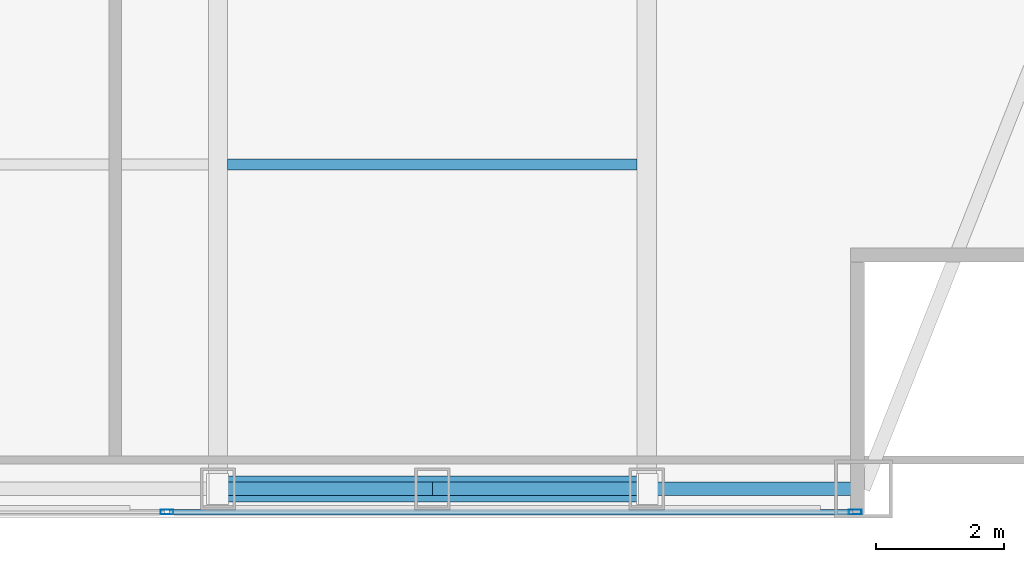
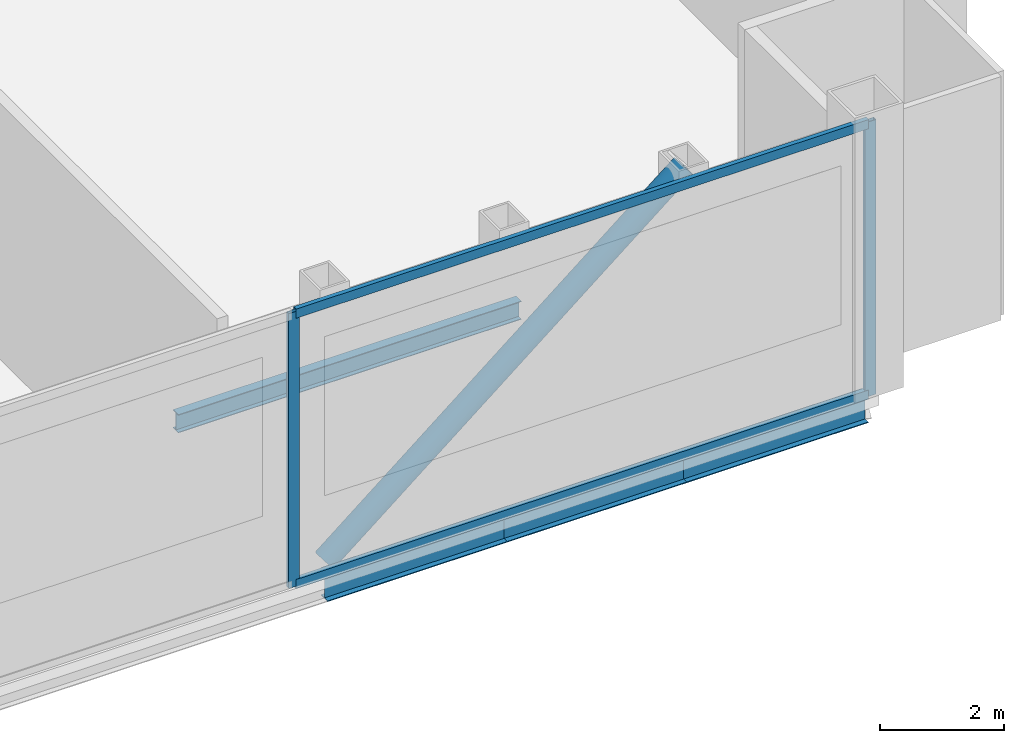
# One storey, part 10 of 22: 5 members, 4 beams, 1 element without a shape of its own.
"""IFC4 building model written with IfcOpenShell, lengths in metres."""

from ifc_helpers import new_model, si_unit, direction, frame, origin, origin_2d, place, context, subcontext, project, spatial, hollow_rectangle, hollow_circle, i_section, extrude, material, material_profile, profile_set, type_object, element, aggregate, save


model = new_model("IFC4")

# Units and contexts
model_context = context("Model", 3, precision=1e-05, world=origin(), true_north=direction((0.0, 1.0)))
body_context = subcontext(model_context, "Body", "Model", "MODEL_VIEW")
ifc_project = project(units=[si_unit("LENGTHUNIT", "METRE"), si_unit("AREAUNIT", "SQUARE_METRE"), si_unit("VOLUMEUNIT", "CUBIC_METRE"), si_unit("PLANEANGLEUNIT", "RADIAN"), si_unit("MASSUNIT", "GRAM", prefix="KILO")], contexts=[model_context])

# Site, building, storey
site_placement = place(None, origin())
site = spatial("IfcSite", under=ifc_project, at=site_placement, CompositionType="ELEMENT")
building_placement = place(site_placement, origin())
building = spatial("IfcBuilding", under=site, at=building_placement, Name="Khoronbel Lancet Exchange", CompositionType="ELEMENT")
storey_placement = place(building_placement, frame((0.0, 0.0, 373.0)))
storey = spatial("IfcBuildingStorey", under=building, at=storey_placement, Name="L95", CompositionType="ELEMENT", Elevation=373.0)

# Beams
ifc_material_1 = material(Name="Steel S355", Category="steel")
ifc_material_profile_1 = material_profile(ifc_material_1, i_section(OverallWidth=0.169921875, OverallDepth=0.360107421875, WebThickness=0.008056640625, FlangeThickness=0.0126953125, at=origin_2d()), Name="IPE 360")
ifc_profile_set_1 = profile_set([ifc_material_profile_1], Name="Steel S355")
beam_type_1 = type_object("IfcBeamType", Name="BM-BJ6", PredefinedType="JOIST", material=ifc_profile_set_1)
beam_1_placement = place(storey_placement, frame((48.14990234375, 15.199951171875, -0.3798828125), z_axis=(1.0, 0.0, 0.0), x_axis=(0.0, 1.0, 0.0)))
element("IfcBeam", 1, at=beam_1_placement, inside=storey, type_object=beam_type_1, Name="Level L95 secondary composite joist J03", PredefinedType="JOIST", context=body_context, shape_type="SweptSolid", body=[
    extrude(i_section(OverallWidth=0.169921875, OverallDepth=0.360107421875, WebThickness=0.008056640625, FlangeThickness=0.0126953125, at=origin_2d()), origin(), (0.0, 0.0, 1.0), 6.375),
])
ifc_material_profile_2 = material_profile(ifc_material_1, i_section(OverallWidth=0.2099609375, OverallDepth=0.550048828125, WebThickness=0.010986328125, FlangeThickness=0.01708984375, at=origin_2d()), Name="IPE 550")
ifc_profile_set_2 = profile_set([ifc_material_profile_2], Name="Steel S355")
beam_type_2 = type_object("IfcBeamType", Name="BM-BSP3", PredefinedType="SPANDREL", material=ifc_profile_set_2)
beam_2_placement = place(storey_placement, frame((48.0, 10.14990234375, -0.47509765625), z_axis=(1.0, 0.0, 0.0), x_axis=(0.0, 1.0, 0.0)))
element("IfcBeam", 2, at=beam_2_placement, inside=storey, type_object=beam_type_2, Name="Level L95 perimeter spandrel beam SP05", PredefinedType="SPANDREL", context=body_context, shape_type="SweptSolid", body=[
    extrude(i_section(OverallWidth=0.2099609375, OverallDepth=0.550048828125, WebThickness=0.010986328125, FlangeThickness=0.01708984375, at=origin_2d()), origin(), (0.0, 0.0, 1.0), 3.33740234375),
])
beam_3_placement = place(storey_placement, frame((51.33740234375, 10.14990234375, -0.47509765625), z_axis=(1.0, 0.0, 0.0), x_axis=(0.0, 1.0, 0.0)))
element("IfcBeam", 3, at=beam_3_placement, inside=storey, type_object=beam_type_2, Name="Level L95 perimeter spandrel beam SP06", PredefinedType="SPANDREL", context=body_context, shape_type="SweptSolid", body=[
    extrude(i_section(OverallWidth=0.2099609375, OverallDepth=0.550048828125, WebThickness=0.010986328125, FlangeThickness=0.01708984375, at=origin_2d()), origin(), (0.0, 0.0, 1.0), 3.337646484375),
])
beam_4_placement = place(storey_placement, frame((54.675048828125, 10.14990234375, -0.47509765625), z_axis=(1.0, 0.0, 0.0), x_axis=(0.0, 1.0, 0.0)))
element("IfcBeam", 4, at=beam_4_placement, inside=storey, type_object=beam_type_2, Name="Level L95 perimeter spandrel beam SP07", PredefinedType="SPANDREL", context=body_context, shape_type="SweptSolid", body=[
    extrude(i_section(OverallWidth=0.2099609375, OverallDepth=0.550048828125, WebThickness=0.010986328125, FlangeThickness=0.01708984375, at=origin_2d()), origin(), (0.0, 0.0, 1.0), 3.375),
])

# Curtain wall, members
ifc_material_2 = material(Name="Low-E Solar Control Insulating Glass", Category="glass")
curtain_wall_type = type_object("IfcCurtainWallType", Name="CW-6", PredefinedType="NOTDEFINED", material=ifc_material_2)
curtain_wall_placement = place(storey_placement, origin())
curtain_wall = element("IfcCurtainWall", 5, at=curtain_wall_placement, inside=storey, type_object=curtain_wall_type, Name="Unitised curtain wall CW-L95-E12", PredefinedType="NOTDEFINED")
ifc_material_3 = material(Name="Bronze-Anodised Aluminium 6063-T6", Category="aluminium")
ifc_material_profile_3 = material_profile(ifc_material_3, hollow_rectangle(XDim=0.074951171875, YDim=0.199951171875, WallThickness=0.0048828125, at=origin_2d()), Name="ALU MULLION 75x200")
ifc_profile_set_3 = profile_set([ifc_material_profile_3], Name="Bronze-Anodised Aluminium 6063-T6")
member_type_1 = type_object("IfcMemberType", Name="MEM-CWM2", PredefinedType="MULLION", material=ifc_profile_set_3)
member_1_placement = place(storey_placement, frame((57.922607421875, 9.7900390625, 0.0), z_axis=(0.0, 0.0, 1.0), x_axis=(0.0, -1.0, 0.0)))
member_1 = element("IfcMember", 6, at=member_1_placement, type_object=member_type_1, Name="CW6 mullion 1", PredefinedType="MULLION", context=body_context, shape_type="SweptSolid", body=[
    extrude(hollow_rectangle(XDim=0.074951171875, YDim=0.199951171875, WallThickness=0.0048828125, at=origin_2d()), origin(), (0.0, 0.0, 1.0), 5.39990234375),
])
member_2_placement = place(storey_placement, frame((47.205078125, 9.7900390625, 0.0), z_axis=(0.0, 0.0, 1.0), x_axis=(0.0, -1.0, 0.0)))
member_2 = element("IfcMember", 7, at=member_2_placement, type_object=member_type_1, Name="CW6 mullion 2", PredefinedType="MULLION", context=body_context, shape_type="SweptSolid", body=[
    extrude(hollow_rectangle(XDim=0.074951171875, YDim=0.199951171875, WallThickness=0.0048828125, at=origin_2d()), origin(), (0.0, 0.0, 1.0), 5.39990234375),
])
ifc_material_profile_4 = material_profile(ifc_material_3, hollow_rectangle(XDim=0.0849609375, YDim=0.179931640625, WallThickness=0.0048828125, at=origin_2d()), Name="ALU TRANSOM 85x180")
ifc_profile_set_4 = profile_set([ifc_material_profile_4], Name="Bronze-Anodised Aluminium 6063-T6")
member_type_2 = type_object("IfcMemberType", Name="MEM-CWT1", PredefinedType="USERDEFINED", material=ifc_profile_set_4)
member_3_placement = place(storey_placement, frame((57.885009765625, 9.7900390625, 0.04248046875), z_axis=(-1.0, 0.0, 0.0), x_axis=(0.0, -1.0, 0.0)))
member_3 = element("IfcMember", 8, at=member_3_placement, type_object=member_type_2, Name="CW6 transom 1.1", ObjectType="TRANSOM", PredefinedType="USERDEFINED", context=body_context, shape_type="SweptSolid", body=[
    extrude(hollow_rectangle(XDim=0.0849609375, YDim=0.179931640625, WallThickness=0.0048828125, at=origin_2d()), origin(), (0.0, 0.0, 1.0), 10.642578125),
])
member_4_placement = place(storey_placement, frame((57.885009765625, 9.7900390625, 5.357421875), z_axis=(-1.0, 0.0, 0.0), x_axis=(0.0, -1.0, 0.0)))
member_4 = element("IfcMember", 9, at=member_4_placement, type_object=member_type_2, Name="CW6 transom 1.2", ObjectType="TRANSOM", PredefinedType="USERDEFINED", context=body_context, shape_type="SweptSolid", body=[
    extrude(hollow_rectangle(XDim=0.0849609375, YDim=0.179931640625, WallThickness=0.0048828125, at=origin_2d()), origin(), (0.0, 0.0, 1.0), 10.642578125),
])
aggregate(curtain_wall, [member_1, member_2, member_3, member_4])

# Member
ifc_material_profile_5 = material_profile(ifc_material_1, hollow_circle(Radius=0.203125, WallThickness=0.02001953125, at=origin_2d()), Name="CHS 406.4x20")
ifc_profile_set_5 = profile_set([ifc_material_profile_5], Name="Steel S355")
member_type_3 = type_object("IfcMemberType", Name="MEM-STR2", PredefinedType="STRUT", material=ifc_profile_set_5)
member_5_placement = place(storey_placement, frame((48.0, 10.14990234375, 0.0), z_axis=(0.77631632481, 0.0, 0.630343528429), x_axis=(0.0, 1.0, 0.0)))
element("IfcMember", 10, at=member_5_placement, inside=storey, type_object=member_type_3, Name="CROWN FRAME diagonal ring brace L95-S2", PredefinedType="STRUT", context=body_context, shape_type="SweptSolid", body=[
    extrude(hollow_circle(Radius=0.203125, WallThickness=0.02001953125, at=origin_2d()), origin(), (0.0, 0.0, 1.0), 8.598388671875),
])

save(model, "model.ifc")
